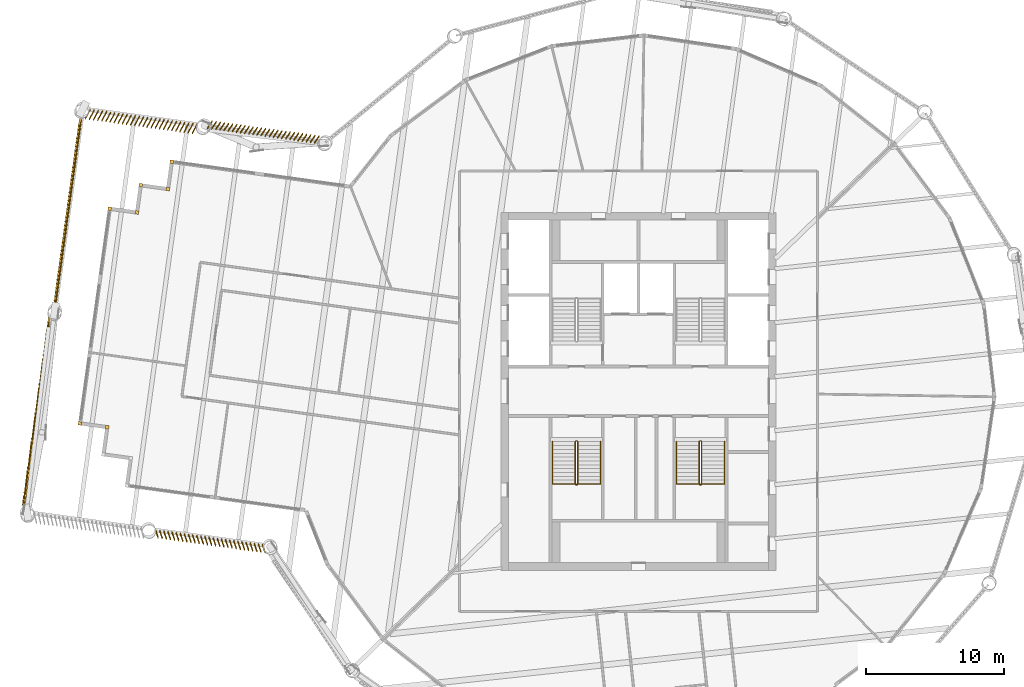
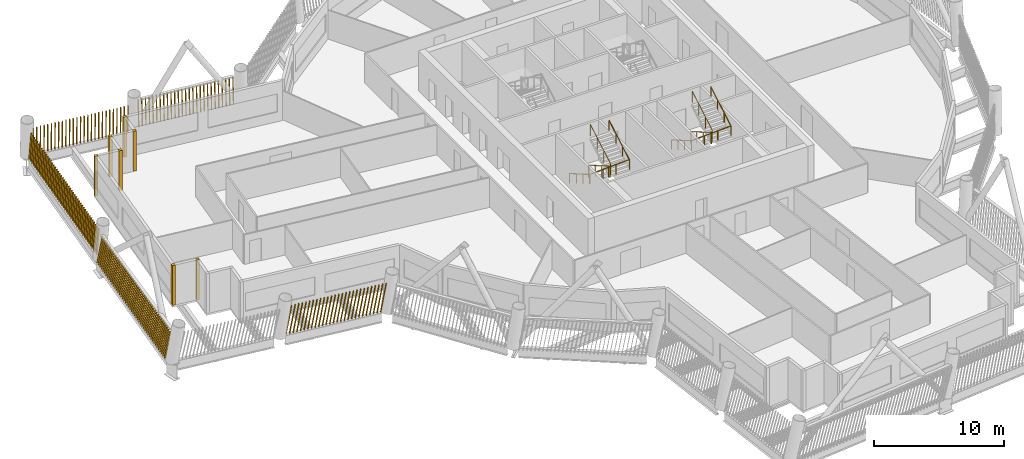
# One storey, part 18 of 21: 12 shading devices, 4 railings.
"""IFC4 building model written with IfcOpenShell, lengths in metres."""

import ifcopenshell
import ifcopenshell.guid

model = None  # the IFC model being written
_history = None  # IfcOwnerHistory: only IFC2X3 demands one
_inside = {}  # id of a spatial element -> (the spatial element, [elements in it])
_under = {}  # id of a project, library or spatial element -> (it, [spatial elements below it])
_declared = {}  # id of a project -> (the project, [libraries it declares])
_typed = {}  # id of a type object -> (the type object, [elements of that type])
_made_of = {}  # id of a material, layer set ... -> (it, [elements and type objects made of it])


def new_model(schema):
    """Start an empty IFC model of exactly this schema.

    Asked for "IFC4X3", IfcOpenShell would pick the latest addendum, in which some entities
    have other attributes; the version numbers below select the first issue.
    IFC2X3 requires an IfcOwnerHistory on every rooted entity: one is made here for all.
    """
    global model, _history
    if schema == "IFC4X3":
        model = ifcopenshell.file(schema_version=(4, 3, 0, 0))
    else:
        model = ifcopenshell.file(schema=schema)
    _inside.clear()
    _under.clear()
    _declared.clear()
    _typed.clear()
    _made_of.clear()
    _history = None
    if model.schema == "IFC2X3":
        org = make("IfcOrganization", Name="unknown")
        user = make(
            "IfcPersonAndOrganization",
            ThePerson=make("IfcPerson", FamilyName="unknown"),
            TheOrganization=org,
        )
        app = make(
            "IfcApplication",
            ApplicationDeveloper=org,
            Version="unknown",
            ApplicationFullName="unknown",
            ApplicationIdentifier="unknown",
        )
        _history = make(
            "IfcOwnerHistory",
            OwningUser=user,
            OwningApplication=app,
            ChangeAction="ADDED",
            CreationDate=0,
        )
    return model


def make(cls, **values):
    """One entity of the class cls with the attributes given. An attribute that is None is left unset."""
    return model.create_entity(
        cls, **{name: value for name, value in values.items() if value is not None}
    )


def rooted(cls, **values):
    """An entity with a GlobalId (a new one), such as an element, a storey or a relation."""
    return make(cls, GlobalId=ifcopenshell.guid.new(), OwnerHistory=_history, **values)


def si_unit(unit_type, name, prefix=None):
    """IfcSIUnit, for example si_unit("LENGTHUNIT", "METRE", prefix="MILLI")."""
    return make("IfcSIUnit", UnitType=unit_type, Prefix=prefix, Name=name)


def assignment(units):
    """IfcUnitAssignment: the units of a project."""
    return None if units is None else make("IfcUnitAssignment", Units=units)


def point(xyz):
    """IfcCartesianPoint."""
    return None if xyz is None else make("IfcCartesianPoint", Coordinates=xyz)


def direction(xyz):
    """IfcDirection."""
    return None if xyz is None else make("IfcDirection", DirectionRatios=xyz)


def frame(location, z_axis=None, x_axis=None):
    """IfcAxis2Placement3D, a coordinate frame: its origin and axes. An axis left out is left unset."""
    return make(
        "IfcAxis2Placement3D",
        Location=point(location),
        Axis=direction(z_axis),
        RefDirection=direction(x_axis),
    )


def frame_2d(location, x_axis=None):
    """IfcAxis2Placement2D, a coordinate frame in the plane: its origin and x axis."""
    return make(
        "IfcAxis2Placement2D", Location=point(location), RefDirection=direction(x_axis)
    )


def origin():
    """The frame at (0, 0, 0) with its axes left unset."""
    return frame((0.0, 0.0, 0.0))


def origin_2d():
    """The frame at (0, 0) in the plane with its x axis left unset."""
    return frame_2d((0.0, 0.0))


def place(relative_to, where):
    """IfcLocalPlacement: puts the frame where relative to a parent placement (None: the world)."""
    return make(
        "IfcLocalPlacement", PlacementRelTo=relative_to, RelativePlacement=where
    )


def context(
    kind, dimensions, precision=None, world=None, true_north=None, identifier=None
):
    """IfcGeometricRepresentationContext, for example the 3D "Model" context."""
    return make(
        "IfcGeometricRepresentationContext",
        ContextIdentifier=identifier,
        ContextType=kind,
        CoordinateSpaceDimension=dimensions,
        Precision=precision,
        WorldCoordinateSystem=world,
        TrueNorth=true_north,
    )


def subcontext(parent, identifier, kind, view, scale=None):
    """IfcGeometricRepresentationSubContext, for example "Body" below "Model"."""
    return make(
        "IfcGeometricRepresentationSubContext",
        ContextIdentifier=identifier,
        ContextType=kind,
        ParentContext=parent,
        TargetScale=scale,
        TargetView=view,
    )


def project(units=None, contexts=None):
    """IfcProject with its units and contexts."""
    return rooted(
        "IfcProject",
        Name="project",
        RepresentationContexts=contexts,
        UnitsInContext=assignment(units),
    )


def spatial(cls, under=None, at=None, **own):
    """A site, building, storey or space (cls), placed at a placement, below another one or the project."""
    s = rooted(cls, ObjectPlacement=at, **own)
    if under is not None:
        _under.setdefault(under.id(), (under, []))[1].append(s)
    return s


def profile(cls, at=None, kind="AREA", **sizes):
    """A parametric profile (cls). Its sizes go by their IFC names, for example OverallWidth=200.0."""
    return make(cls, ProfileType=kind, Position=at, **sizes)


def rectangle(**sizes):
    """IfcRectangleProfileDef."""
    return profile("IfcRectangleProfileDef", **sizes)


def circle(**sizes):
    """IfcCircleProfileDef."""
    return profile("IfcCircleProfileDef", **sizes)


def composite_profile(profiles, kind="AREA"):
    """IfcCompositeProfileDef: several profiles as one."""
    return make("IfcCompositeProfileDef", ProfileType=kind, Profiles=profiles)


def extrude(swept, where, along, depth):
    """IfcExtrudedAreaSolid: the profile swept, set in the frame where, extruded along a direction by depth."""
    return make(
        "IfcExtrudedAreaSolid",
        SweptArea=swept,
        Position=where,
        ExtrudedDirection=direction(along),
        Depth=depth,
    )


def shape(context_of_items, identifier, shape_type, items):
    """IfcShapeRepresentation: the items that make up one representation, for example the "Body"."""
    return make(
        "IfcShapeRepresentation",
        ContextOfItems=context_of_items,
        RepresentationIdentifier=identifier,
        RepresentationType=shape_type,
        Items=items,
    )


def material(Name=None, Category=None):
    """IfcMaterial."""
    return make("IfcMaterial", Name=Name, Category=Category)


def made_of(thing, what):
    """Note that an element or type object is made of a material, layer set ...; save() writes the relation."""
    if what is not None:
        _made_of.setdefault(what.id(), (what, []))[1].append(thing)
    return thing


def type_object(cls, material=None, **own):
    """A type object (cls), such as IfcWallType, which elements share."""
    return made_of(rooted(cls, **own), material)


def element(
    cls,
    number,
    at=None,
    inside=None,
    cuts=None,
    type_object=None,
    material=None,
    context=None,
    identifier="Body",
    shape_type=None,
    held_by="IfcProductDefinitionShape",
    body=None,
    shapes=None,
    **own,
):
    """One element of the class cls, such as IfcWall. Its Tag is "e" and its number.

    at: its placement. inside: the storey or other place that contains it. cuts: it is an
    opening in that element (IfcRelVoidsElement). A single representation is given by context,
    identifier, shape_type and body (its items); several are given by shapes. held_by: the class
    of the entity that holds the representations. save() writes the other relations.
    """
    e = rooted(cls, Tag="e%d" % number, ObjectPlacement=at, **own)
    if body is not None:
        shapes = [shape(context, identifier, shape_type, body)]
    if shapes is not None:
        e.Representation = make(held_by, Representations=shapes)
    if inside is not None:
        _inside.setdefault(inside.id(), (inside, []))[1].append(e)
    if cuts is not None:
        rooted(
            "IfcRelVoidsElement", RelatingBuildingElement=cuts, RelatedOpeningElement=e
        )
    if type_object is not None:
        _typed.setdefault(type_object.id(), (type_object, []))[1].append(e)
    return made_of(e, material)


def aggregate(whole, parts):
    """IfcRelAggregates: a whole, such as a stair, and the parts it consists of."""
    return rooted("IfcRelAggregates", RelatingObject=whole, RelatedObjects=parts)


def save(model, path):
    """Write the relations noted so far, then the file.

    IfcRelAggregates (storeys below a building ...), IfcRelContainedInSpatialStructure (elements
    in a storey), IfcRelDefinesByType, IfcRelAssociatesMaterial and IfcRelDeclares: one each for
    every whole, place, type object, material and project.
    """
    for whole, parts in _under.values():
        aggregate(whole, parts)
    for where, things in _inside.values():
        rooted(
            "IfcRelContainedInSpatialStructure",
            RelatedElements=things,
            RelatingStructure=where,
        )
    for kind, things in _typed.values():
        rooted("IfcRelDefinesByType", RelatedObjects=things, RelatingType=kind)
    for what, things in _made_of.values():
        rooted("IfcRelAssociatesMaterial", RelatedObjects=things, RelatingMaterial=what)
    for by, libraries in _declared.values():
        rooted("IfcRelDeclares", RelatingContext=by, RelatedDefinitions=libraries)
    model.write(path)


model = new_model("IFC4")

# Units and contexts
model_context = context("Model", 3, precision=1e-05, world=origin(), true_north=direction((0.0, 1.0)))
body_context = subcontext(model_context, "Body", "Model", "MODEL_VIEW")
ifc_project = project(units=[si_unit("LENGTHUNIT", "METRE"), si_unit("AREAUNIT", "SQUARE_METRE"), si_unit("VOLUMEUNIT", "CUBIC_METRE"), si_unit("PLANEANGLEUNIT", "RADIAN"), si_unit("MASSUNIT", "GRAM", prefix="KILO")], contexts=[model_context])

# Site, building, storey
site_placement = place(None, origin())
site = spatial("IfcSite", under=ifc_project, at=site_placement, CompositionType="ELEMENT")
building_placement = place(site_placement, origin())
building = spatial("IfcBuilding", under=site, at=building_placement, Name="Tarsis Ring Headquarters", CompositionType="ELEMENT")
storey_placement = place(building_placement, frame((0.0, 0.0, 255.199951171875)))
storey = spatial("IfcBuildingStorey", under=building, at=storey_placement, Name="L59", CompositionType="ELEMENT", Elevation=255.199951171875)

# Railings
ifc_material_1 = material(Name="Steel S355", Category="steel")
railing_type_1 = type_object("IfcRailingType", Name="Core stair guard 1100", PredefinedType="GUARDRAIL", material=ifc_material_1)
railing_1_placement = place(storey_placement, frame((-4.4599609375, -3.610107421875, 0.0)))
element("IfcRailing", 1, at=railing_1_placement, inside=storey, type_object=railing_type_1, Name="L59 ST3 stair guard 1", PredefinedType="GUARDRAIL", context=body_context, shape_type="SweptSolid", body=[
    extrude(circle(Radius=0.02392578125, at=origin_2d()), frame((0.0, 0.0, 1.076171875), z_axis=(-1.0, 0.0, 0.0), x_axis=(0.0, -1.0, 0.0)), (0.0, 0.0, 1.0), 0.080078125),
    extrude(circle(Radius=0.02392578125, at=origin_2d()), frame((-0.080078125, 0.0, 1.076171875), z_axis=(-0.282336740067, -0.280959487676, 0.917250092119), x_axis=(0.705375805398, -0.708833529934, 0.0)), (0.0, 0.0, 1.0), 0.17724609375),
    extrude(circle(Radius=0.02392578125, at=origin_2d()), frame((-0.130126953125, -0.0498046875, 1.23876953125), z_axis=(0.0, -0.864920483161, 0.501908913857), x_axis=(1.0, 0.0, 0.0)), (0.0, 0.0, 1.0), 3.56103515625),
    extrude(circle(Radius=0.02392578125, at=origin_2d()), frame((-0.130126953125, -3.1298828125, 3.02587890625), z_axis=(0.707106781187, -0.707106781187, 0.0), x_axis=(0.707106781187, 0.707106781187, 0.0)), (0.0, 0.0, 1.0), 0.07080078125),
    extrude(circle(Radius=0.02392578125, at=origin_2d()), frame((-0.080078125, -3.179931640625, 3.02587890625), z_axis=(1.0, 0.0, 0.0), x_axis=(0.0, 1.0, 0.0)), (0.0, 0.0, 1.0), 0.080078125),
    extrude(circle(Radius=0.02392578125, at=origin_2d()), frame((0.0, -3.179931640625, 3.02587890625), z_axis=(0.282227285176, 0.282227285176, 0.916894497205), x_axis=(-0.707106781187, 0.707106781187, 0.0)), (0.0, 0.0, 1.0), 0.17724609375),
    extrude(circle(Radius=0.02392578125, at=origin_2d()), frame((0.050048828125, -3.1298828125, 3.1884765625), z_axis=(0.0, 0.864890721111, 0.501960198159), x_axis=(-1.0, 0.0, 0.0)), (0.0, 0.0, 1.0), 3.561279296875),
    extrude(circle(Radius=0.02099609375, at=origin_2d()), origin(), (0.0, 0.0, 1.0), 1.052001953125),
    extrude(circle(Radius=0.02099609375, at=origin_2d()), frame((-0.080078125, 0.0, 0.0)), (0.0, 0.0, 1.0), 1.052001953125),
    extrude(circle(Radius=0.02099609375, at=origin_2d()), frame((-0.130126953125, -0.0498046875, 0.16259765625)), (0.0, 0.0, 1.0), 1.052001953125),
    extrude(circle(Radius=0.02099609375, at=origin_2d()), frame((-0.130126953125, -1.076416015625, 0.75830078125)), (0.0, 0.0, 1.0), 1.052001953125),
    extrude(circle(Radius=0.02099609375, at=origin_2d()), frame((-0.130126953125, -2.103271484375, 1.354248046875)), (0.0, 0.0, 1.0), 1.052001953125),
    extrude(circle(Radius=0.02099609375, at=origin_2d()), frame((-0.130126953125, -3.1298828125, 1.949951171875)), (0.0, 0.0, 1.0), 1.052001953125),
    extrude(circle(Radius=0.02099609375, at=origin_2d()), frame((-0.080078125, -3.179931640625, 1.949951171875)), (0.0, 0.0, 1.0), 1.052001953125),
    extrude(circle(Radius=0.02099609375, at=origin_2d()), frame((0.0, -3.179931640625, 1.949951171875)), (0.0, 0.0, 1.0), 1.052001953125),
    extrude(circle(Radius=0.02099609375, at=origin_2d()), frame((0.050048828125, -3.1298828125, 2.112548828125)), (0.0, 0.0, 1.0), 1.052001953125),
    extrude(circle(Radius=0.02099609375, at=origin_2d()), frame((0.050048828125, -2.103271484375, 2.70849609375)), (0.0, 0.0, 1.0), 1.052001953125),
    extrude(circle(Radius=0.02099609375, at=origin_2d()), frame((0.050048828125, -1.076416015625, 3.30419921875)), (0.0, 0.0, 1.0), 1.052001953125),
    extrude(circle(Radius=0.02099609375, at=origin_2d()), frame((0.050048828125, -0.0498046875, 3.900146484375)), (0.0, 0.0, 1.0), 1.052001953125),
])
railing_2_placement = place(storey_placement, frame((4.5400390625, -3.610107421875, 0.0)))
element("IfcRailing", 2, at=railing_2_placement, inside=storey, type_object=railing_type_1, Name="L59 ST4 stair guard 1", PredefinedType="GUARDRAIL", context=body_context, shape_type="SweptSolid", body=[
    extrude(circle(Radius=0.02392578125, at=origin_2d()), frame((0.0, 0.0, 1.076171875), z_axis=(-1.0, 0.0, 0.0), x_axis=(0.0, -1.0, 0.0)), (0.0, 0.0, 1.0), 0.080078125),
    extrude(circle(Radius=0.02392578125, at=origin_2d()), frame((-0.080078125, 0.0, 1.076171875), z_axis=(-0.282336740067, -0.280959487676, 0.917250092119), x_axis=(0.705375805398, -0.708833529934, 0.0)), (0.0, 0.0, 1.0), 0.17724609375),
    extrude(circle(Radius=0.02392578125, at=origin_2d()), frame((-0.130126953125, -0.0498046875, 1.23876953125), z_axis=(0.0, -0.864920483161, 0.501908913857), x_axis=(1.0, 0.0, 0.0)), (0.0, 0.0, 1.0), 3.56103515625),
    extrude(circle(Radius=0.02392578125, at=origin_2d()), frame((-0.130126953125, -3.1298828125, 3.02587890625), z_axis=(0.707106781187, -0.707106781187, 0.0), x_axis=(0.707106781187, 0.707106781187, 0.0)), (0.0, 0.0, 1.0), 0.07080078125),
    extrude(circle(Radius=0.02392578125, at=origin_2d()), frame((-0.080078125, -3.179931640625, 3.02587890625), z_axis=(1.0, 0.0, 0.0), x_axis=(0.0, 1.0, 0.0)), (0.0, 0.0, 1.0), 0.080078125),
    extrude(circle(Radius=0.02392578125, at=origin_2d()), frame((0.0, -3.179931640625, 3.02587890625), z_axis=(0.282227285176, 0.282227285176, 0.916894497205), x_axis=(-0.707106781187, 0.707106781187, 0.0)), (0.0, 0.0, 1.0), 0.17724609375),
    extrude(circle(Radius=0.02392578125, at=origin_2d()), frame((0.050048828125, -3.1298828125, 3.1884765625), z_axis=(0.0, 0.864890721111, 0.501960198159), x_axis=(-1.0, 0.0, 0.0)), (0.0, 0.0, 1.0), 3.561279296875),
    extrude(circle(Radius=0.02099609375, at=origin_2d()), origin(), (0.0, 0.0, 1.0), 1.052001953125),
    extrude(circle(Radius=0.02099609375, at=origin_2d()), frame((-0.080078125, 0.0, 0.0)), (0.0, 0.0, 1.0), 1.052001953125),
    extrude(circle(Radius=0.02099609375, at=origin_2d()), frame((-0.130126953125, -0.0498046875, 0.16259765625)), (0.0, 0.0, 1.0), 1.052001953125),
    extrude(circle(Radius=0.02099609375, at=origin_2d()), frame((-0.130126953125, -1.076416015625, 0.75830078125)), (0.0, 0.0, 1.0), 1.052001953125),
    extrude(circle(Radius=0.02099609375, at=origin_2d()), frame((-0.130126953125, -2.103271484375, 1.354248046875)), (0.0, 0.0, 1.0), 1.052001953125),
    extrude(circle(Radius=0.02099609375, at=origin_2d()), frame((-0.130126953125, -3.1298828125, 1.949951171875)), (0.0, 0.0, 1.0), 1.052001953125),
    extrude(circle(Radius=0.02099609375, at=origin_2d()), frame((-0.080078125, -3.179931640625, 1.949951171875)), (0.0, 0.0, 1.0), 1.052001953125),
    extrude(circle(Radius=0.02099609375, at=origin_2d()), frame((0.0, -3.179931640625, 1.949951171875)), (0.0, 0.0, 1.0), 1.052001953125),
    extrude(circle(Radius=0.02099609375, at=origin_2d()), frame((0.050048828125, -3.1298828125, 2.112548828125)), (0.0, 0.0, 1.0), 1.052001953125),
    extrude(circle(Radius=0.02099609375, at=origin_2d()), frame((0.050048828125, -2.103271484375, 2.70849609375)), (0.0, 0.0, 1.0), 1.052001953125),
    extrude(circle(Radius=0.02099609375, at=origin_2d()), frame((0.050048828125, -1.076416015625, 3.30419921875)), (0.0, 0.0, 1.0), 1.052001953125),
    extrude(circle(Radius=0.02099609375, at=origin_2d()), frame((0.050048828125, -0.0498046875, 3.900146484375)), (0.0, 0.0, 1.0), 1.052001953125),
])
railing_type_2 = type_object("IfcRailingType", Name="Core stair handrail 900", PredefinedType="HANDRAIL", material=ifc_material_1)
railing_3_placement = place(storey_placement, frame((-6.25, -3.659912109375, 0.16259765625)))
element("IfcRailing", 3, at=railing_3_placement, inside=storey, type_object=railing_type_2, Name="L59 ST3 stair handrail 1", PredefinedType="HANDRAIL", context=body_context, shape_type="SweptSolid", body=[
    extrude(circle(Radius=0.02392578125, at=origin_2d()), frame((0.0, 0.0, 0.8759765625), z_axis=(0.0, -0.864920483161, 0.501908913857), x_axis=(1.0, 0.0, 0.0)), (0.0, 0.0, 1.0), 3.56103515625),
    extrude(circle(Radius=0.02392578125, at=origin_2d()), frame((0.0, -3.080078125, 2.6630859375), z_axis=(0.998922641604, 0.0, 0.046406422943), x_axis=(0.0, 1.0, 0.0)), (0.0, 0.0, 1.0), 3.503662109375),
    extrude(circle(Radius=0.02392578125, at=origin_2d()), frame((3.5, -3.080078125, 2.82568359375), z_axis=(0.0, 0.864890721111, 0.501960198159), x_axis=(-1.0, 0.0, 0.0)), (0.0, 0.0, 1.0), 3.561279296875),
    extrude(circle(Radius=0.02099609375, at=origin_2d()), origin(), (0.0, 0.0, 1.0), 0.851806640625),
    extrude(circle(Radius=0.02099609375, at=origin_2d()), frame((0.0, -1.026611328125, 0.595703125)), (0.0, 0.0, 1.0), 0.851806640625),
    extrude(circle(Radius=0.02099609375, at=origin_2d()), frame((0.0, -2.053466796875, 1.191650390625)), (0.0, 0.0, 1.0), 0.851806640625),
    extrude(circle(Radius=0.02099609375, at=origin_2d()), frame((0.0, -3.080078125, 1.787353515625)), (0.0, 0.0, 1.0), 0.851806640625),
    extrude(circle(Radius=0.02099609375, at=origin_2d()), frame((1.166748046875, -3.080078125, 1.841552734375)), (0.0, 0.0, 1.0), 0.851806640625),
    extrude(circle(Radius=0.02099609375, at=origin_2d()), frame((2.333251953125, -3.080078125, 1.895751953125)), (0.0, 0.0, 1.0), 0.851806640625),
    extrude(circle(Radius=0.02099609375, at=origin_2d()), frame((3.5, -3.080078125, 1.949951171875)), (0.0, 0.0, 1.0), 0.851806640625),
    extrude(circle(Radius=0.02099609375, at=origin_2d()), frame((3.5, -2.053466796875, 2.5458984375)), (0.0, 0.0, 1.0), 0.851806640625),
    extrude(circle(Radius=0.02099609375, at=origin_2d()), frame((3.5, -1.026611328125, 3.1416015625)), (0.0, 0.0, 1.0), 0.851806640625),
    extrude(circle(Radius=0.02099609375, at=origin_2d()), frame((3.5, 0.0, 3.737548828125)), (0.0, 0.0, 1.0), 0.851806640625),
])
railing_4_placement = place(storey_placement, frame((2.75, -3.659912109375, 0.16259765625)))
element("IfcRailing", 4, at=railing_4_placement, inside=storey, type_object=railing_type_2, Name="L59 ST4 stair handrail 1", PredefinedType="HANDRAIL", context=body_context, shape_type="SweptSolid", body=[
    extrude(circle(Radius=0.02392578125, at=origin_2d()), frame((0.0, 0.0, 0.8759765625), z_axis=(0.0, -0.864920483161, 0.501908913857), x_axis=(1.0, 0.0, 0.0)), (0.0, 0.0, 1.0), 3.56103515625),
    extrude(circle(Radius=0.02392578125, at=origin_2d()), frame((0.0, -3.080078125, 2.6630859375), z_axis=(0.998922641604, 0.0, 0.046406422943), x_axis=(0.0, 1.0, 0.0)), (0.0, 0.0, 1.0), 3.503662109375),
    extrude(circle(Radius=0.02392578125, at=origin_2d()), frame((3.5, -3.080078125, 2.82568359375), z_axis=(0.0, 0.864890721111, 0.501960198159), x_axis=(-1.0, 0.0, 0.0)), (0.0, 0.0, 1.0), 3.561279296875),
    extrude(circle(Radius=0.02099609375, at=origin_2d()), origin(), (0.0, 0.0, 1.0), 0.851806640625),
    extrude(circle(Radius=0.02099609375, at=origin_2d()), frame((0.0, -1.026611328125, 0.595703125)), (0.0, 0.0, 1.0), 0.851806640625),
    extrude(circle(Radius=0.02099609375, at=origin_2d()), frame((0.0, -2.053466796875, 1.191650390625)), (0.0, 0.0, 1.0), 0.851806640625),
    extrude(circle(Radius=0.02099609375, at=origin_2d()), frame((0.0, -3.080078125, 1.787353515625)), (0.0, 0.0, 1.0), 0.851806640625),
    extrude(circle(Radius=0.02099609375, at=origin_2d()), frame((1.166748046875, -3.080078125, 1.841552734375)), (0.0, 0.0, 1.0), 0.851806640625),
    extrude(circle(Radius=0.02099609375, at=origin_2d()), frame((2.333251953125, -3.080078125, 1.895751953125)), (0.0, 0.0, 1.0), 0.851806640625),
    extrude(circle(Radius=0.02099609375, at=origin_2d()), frame((3.5, -3.080078125, 1.949951171875)), (0.0, 0.0, 1.0), 0.851806640625),
    extrude(circle(Radius=0.02099609375, at=origin_2d()), frame((3.5, -2.053466796875, 2.5458984375)), (0.0, 0.0, 1.0), 0.851806640625),
    extrude(circle(Radius=0.02099609375, at=origin_2d()), frame((3.5, -1.026611328125, 3.1416015625)), (0.0, 0.0, 1.0), 0.851806640625),
    extrude(circle(Radius=0.02099609375, at=origin_2d()), frame((3.5, 0.0, 3.737548828125)), (0.0, 0.0, 1.0), 0.851806640625),
])

# Shading devices
ifc_material_2 = material(Name="Terracotta baguette", Category="masonry")
shading_device_type_1 = type_object("IfcShadingDeviceType", Name="Terracotta baguette screen", PredefinedType="USERDEFINED", material=ifc_material_2)
shading_device_1_placement = place(storey_placement, frame((-23.17431640625, 18.527099609375, 0.0), z_axis=(0.0, 0.0, 1.0), x_axis=(-0.990546218487, 0.137110726644, 0.0)))
element("IfcShadingDevice", 5, at=shading_device_1_placement, inside=storey, type_object=shading_device_type_1, Name="Baguette screen L59-15", ObjectType="Terracotta baguette screen", PredefinedType="USERDEFINED", context=body_context, shape_type="SweptSolid", body=[
    extrude(composite_profile([rectangle(XDim=0.06005859375, YDim=0.1201171875, at=frame_2d((0.030029296875, 0.0))), rectangle(XDim=0.06005859375, YDim=0.1201171875, at=frame_2d((0.33154296875, 0.0))), rectangle(XDim=0.06005859375, YDim=0.1201171875, at=frame_2d((0.63330078125, 0.0))), rectangle(XDim=0.06005859375, YDim=0.1201171875, at=frame_2d((0.934814453125, 0.0))), rectangle(XDim=0.06005859375, YDim=0.1201171875, at=frame_2d((1.236572265625, 0.0))), rectangle(XDim=0.06005859375, YDim=0.1201171875, at=frame_2d((1.5380859375, 0.0))), rectangle(XDim=0.06005859375, YDim=0.1201171875, at=frame_2d((1.83984375, 0.0))), rectangle(XDim=0.06005859375, YDim=0.1201171875, at=frame_2d((2.141357421875, 0.0))), rectangle(XDim=0.06005859375, YDim=0.1201171875, at=frame_2d((2.443115234375, 0.0))), rectangle(XDim=0.06005859375, YDim=0.1201171875, at=frame_2d((2.74462890625, 0.0))), rectangle(XDim=0.06005859375, YDim=0.1201171875, at=frame_2d((3.04638671875, 0.0))), rectangle(XDim=0.06005859375, YDim=0.1201171875, at=frame_2d((3.347900390625, 0.0))), rectangle(XDim=0.06005859375, YDim=0.1201171875, at=frame_2d((3.649658203125, 0.0))), rectangle(XDim=0.06005859375, YDim=0.1201171875, at=frame_2d((3.951171875, 0.0))), rectangle(XDim=0.06005859375, YDim=0.1201171875, at=frame_2d((4.252685546875, 0.0))), rectangle(XDim=0.06005859375, YDim=0.1201171875, at=frame_2d((4.554443359375, 0.0))), rectangle(XDim=0.06005859375, YDim=0.1201171875, at=frame_2d((4.85595703125, 0.0))), rectangle(XDim=0.06005859375, YDim=0.1201171875, at=frame_2d((5.15771484375, 0.0))), rectangle(XDim=0.06005859375, YDim=0.1201171875, at=frame_2d((5.459228515625, 0.0))), rectangle(XDim=0.06005859375, YDim=0.1201171875, at=frame_2d((5.760986328125, 0.0))), rectangle(XDim=0.06005859375, YDim=0.1201171875, at=frame_2d((6.0625, 0.0))), rectangle(XDim=0.06005859375, YDim=0.1201171875, at=frame_2d((6.3642578125, 0.0))), rectangle(XDim=0.06005859375, YDim=0.1201171875, at=frame_2d((6.665771484375, 0.0))), rectangle(XDim=0.06005859375, YDim=0.1201171875, at=frame_2d((6.967529296875, 0.0))), rectangle(XDim=0.06005859375, YDim=0.1201171875, at=frame_2d((7.26904296875, 0.0))), rectangle(XDim=0.06005859375, YDim=0.1201171875, at=frame_2d((7.57080078125, 0.0))), rectangle(XDim=0.06005859375, YDim=0.1201171875, at=frame_2d((7.872314453125, 0.0)))]), origin(), (0.086105677885, 0.170733723959, 0.981547659433), 3.023681640625),
])
shading_device_2_placement = place(storey_placement, frame((-32.0439453125, 19.376220703125, 0.0), z_axis=(0.0, 0.0, 1.0), x_axis=(-0.990546218487, 0.137079831933, 0.0)))
element("IfcShadingDevice", 6, at=shading_device_2_placement, inside=storey, type_object=shading_device_type_1, Name="Baguette screen L59-16", ObjectType="Terracotta baguette screen", PredefinedType="USERDEFINED", context=body_context, shape_type="SweptSolid", body=[
    extrude(composite_profile([rectangle(XDim=0.06005859375, YDim=0.1201171875, at=frame_2d((0.030029296875, 0.0))), rectangle(XDim=0.06005859375, YDim=0.1201171875, at=frame_2d((0.33154296875, 0.0))), rectangle(XDim=0.06005859375, YDim=0.1201171875, at=frame_2d((0.63330078125, 0.0))), rectangle(XDim=0.06005859375, YDim=0.1201171875, at=frame_2d((0.934814453125, 0.0))), rectangle(XDim=0.06005859375, YDim=0.1201171875, at=frame_2d((1.236572265625, 0.0))), rectangle(XDim=0.06005859375, YDim=0.1201171875, at=frame_2d((1.5380859375, 0.0))), rectangle(XDim=0.06005859375, YDim=0.1201171875, at=frame_2d((1.83984375, 0.0))), rectangle(XDim=0.06005859375, YDim=0.1201171875, at=frame_2d((2.141357421875, 0.0))), rectangle(XDim=0.06005859375, YDim=0.1201171875, at=frame_2d((2.443115234375, 0.0))), rectangle(XDim=0.06005859375, YDim=0.1201171875, at=frame_2d((2.74462890625, 0.0))), rectangle(XDim=0.06005859375, YDim=0.1201171875, at=frame_2d((3.04638671875, 0.0))), rectangle(XDim=0.06005859375, YDim=0.1201171875, at=frame_2d((3.347900390625, 0.0))), rectangle(XDim=0.06005859375, YDim=0.1201171875, at=frame_2d((3.649658203125, 0.0))), rectangle(XDim=0.06005859375, YDim=0.1201171875, at=frame_2d((3.951171875, 0.0))), rectangle(XDim=0.06005859375, YDim=0.1201171875, at=frame_2d((4.252685546875, 0.0))), rectangle(XDim=0.06005859375, YDim=0.1201171875, at=frame_2d((4.554443359375, 0.0))), rectangle(XDim=0.06005859375, YDim=0.1201171875, at=frame_2d((4.85595703125, 0.0))), rectangle(XDim=0.06005859375, YDim=0.1201171875, at=frame_2d((5.15771484375, 0.0))), rectangle(XDim=0.06005859375, YDim=0.1201171875, at=frame_2d((5.459228515625, 0.0))), rectangle(XDim=0.06005859375, YDim=0.1201171875, at=frame_2d((5.760986328125, 0.0))), rectangle(XDim=0.06005859375, YDim=0.1201171875, at=frame_2d((6.0625, 0.0))), rectangle(XDim=0.06005859375, YDim=0.1201171875, at=frame_2d((6.3642578125, 0.0))), rectangle(XDim=0.06005859375, YDim=0.1201171875, at=frame_2d((6.665771484375, 0.0))), rectangle(XDim=0.06005859375, YDim=0.1201171875, at=frame_2d((6.967529296875, 0.0))), rectangle(XDim=0.06005859375, YDim=0.1201171875, at=frame_2d((7.26904296875, 0.0))), rectangle(XDim=0.06005859375, YDim=0.1201171875, at=frame_2d((7.57080078125, 0.0))), rectangle(XDim=0.06005859375, YDim=0.1201171875, at=frame_2d((7.872314453125, 0.0)))]), origin(), (0.082686368093, 0.219936115182, 0.972003636706), 3.05322265625),
])
shading_device_3_placement = place(storey_placement, frame((-40.435302734375, 20.03271484375, 0.0), z_axis=(0.0, 0.0, 1.0), x_axis=(-0.137107474569, -0.99055285272, 0.0)))
element("IfcShadingDevice", 7, at=shading_device_3_placement, inside=storey, type_object=shading_device_type_1, Name="Baguette screen L59-17", ObjectType="Terracotta baguette screen", PredefinedType="USERDEFINED", context=body_context, shape_type="SweptSolid", body=[
    extrude(composite_profile([rectangle(XDim=0.06005859375, YDim=0.1201171875, at=frame_2d((0.030029296875, 0.0))), rectangle(XDim=0.06005859375, YDim=0.1201171875, at=frame_2d((0.33544921875, 0.0))), rectangle(XDim=0.06005859375, YDim=0.1201171875, at=frame_2d((0.640625, 0.0))), rectangle(XDim=0.06005859375, YDim=0.1201171875, at=frame_2d((0.946044921875, 0.0))), rectangle(XDim=0.06005859375, YDim=0.1201171875, at=frame_2d((1.25146484375, 0.0))), rectangle(XDim=0.06005859375, YDim=0.1201171875, at=frame_2d((1.556640625, 0.0))), rectangle(XDim=0.06005859375, YDim=0.1201171875, at=frame_2d((1.862060546875, 0.0))), rectangle(XDim=0.06005859375, YDim=0.1201171875, at=frame_2d((2.16748046875, 0.0))), rectangle(XDim=0.06005859375, YDim=0.1201171875, at=frame_2d((2.47265625, 0.0))), rectangle(XDim=0.06005859375, YDim=0.1201171875, at=frame_2d((2.778076171875, 0.0))), rectangle(XDim=0.06005859375, YDim=0.1201171875, at=frame_2d((3.08349609375, 0.0))), rectangle(XDim=0.06005859375, YDim=0.1201171875, at=frame_2d((3.388671875, 0.0))), rectangle(XDim=0.06005859375, YDim=0.1201171875, at=frame_2d((3.694091796875, 0.0))), rectangle(XDim=0.06005859375, YDim=0.1201171875, at=frame_2d((3.99951171875, 0.0))), rectangle(XDim=0.06005859375, YDim=0.1201171875, at=frame_2d((4.3046875, 0.0))), rectangle(XDim=0.06005859375, YDim=0.1201171875, at=frame_2d((4.610107421875, 0.0))), rectangle(XDim=0.06005859375, YDim=0.1201171875, at=frame_2d((4.91552734375, 0.0))), rectangle(XDim=0.06005859375, YDim=0.1201171875, at=frame_2d((5.220703125, 0.0))), rectangle(XDim=0.06005859375, YDim=0.1201171875, at=frame_2d((5.526123046875, 0.0))), rectangle(XDim=0.06005859375, YDim=0.1201171875, at=frame_2d((5.83154296875, 0.0))), rectangle(XDim=0.06005859375, YDim=0.1201171875, at=frame_2d((6.13671875, 0.0))), rectangle(XDim=0.06005859375, YDim=0.1201171875, at=frame_2d((6.442138671875, 0.0))), rectangle(XDim=0.06005859375, YDim=0.1201171875, at=frame_2d((6.74755859375, 0.0))), rectangle(XDim=0.06005859375, YDim=0.1201171875, at=frame_2d((7.052734375, 0.0))), rectangle(XDim=0.06005859375, YDim=0.1201171875, at=frame_2d((7.358154296875, 0.0))), rectangle(XDim=0.06005859375, YDim=0.1201171875, at=frame_2d((7.66357421875, 0.0))), rectangle(XDim=0.06005859375, YDim=0.1201171875, at=frame_2d((7.96875, 0.0))), rectangle(XDim=0.06005859375, YDim=0.1201171875, at=frame_2d((8.274169921875, 0.0))), rectangle(XDim=0.06005859375, YDim=0.1201171875, at=frame_2d((8.57958984375, 0.0))), rectangle(XDim=0.06005859375, YDim=0.1201171875, at=frame_2d((8.884765625, 0.0))), rectangle(XDim=0.06005859375, YDim=0.1201171875, at=frame_2d((9.190185546875, 0.0))), rectangle(XDim=0.06005859375, YDim=0.1201171875, at=frame_2d((9.49560546875, 0.0))), rectangle(XDim=0.06005859375, YDim=0.1201171875, at=frame_2d((9.80078125, 0.0))), rectangle(XDim=0.06005859375, YDim=0.1201171875, at=frame_2d((10.106201171875, 0.0))), rectangle(XDim=0.06005859375, YDim=0.1201171875, at=frame_2d((10.41162109375, 0.0))), rectangle(XDim=0.06005859375, YDim=0.1201171875, at=frame_2d((10.716796875, 0.0))), rectangle(XDim=0.06005859375, YDim=0.1201171875, at=frame_2d((11.022216796875, 0.0))), rectangle(XDim=0.06005859375, YDim=0.1201171875, at=frame_2d((11.32763671875, 0.0))), rectangle(XDim=0.06005859375, YDim=0.1201171875, at=frame_2d((11.6328125, 0.0))), rectangle(XDim=0.06005859375, YDim=0.1201171875, at=frame_2d((11.938232421875, 0.0))), rectangle(XDim=0.06005859375, YDim=0.1201171875, at=frame_2d((12.24365234375, 0.0))), rectangle(XDim=0.06005859375, YDim=0.1201171875, at=frame_2d((12.548828125, 0.0))), rectangle(XDim=0.06005859375, YDim=0.1201171875, at=frame_2d((12.854248046875, 0.0))), rectangle(XDim=0.06005859375, YDim=0.1201171875, at=frame_2d((13.15966796875, 0.0))), rectangle(XDim=0.06005859375, YDim=0.1201171875, at=frame_2d((13.46484375, 0.0))), rectangle(XDim=0.06005859375, YDim=0.1201171875, at=frame_2d((13.770263671875, 0.0)))]), origin(), (0.244229046566, -0.040032279217, 0.96889090688), 3.06298828125),
])
shading_device_4_placement = place(storey_placement, frame((-42.8359375, 5.424072265625, 0.0), z_axis=(0.0, 0.0, 1.0), x_axis=(-0.13708735803, -0.990553019849, 0.0)))
element("IfcShadingDevice", 8, at=shading_device_4_placement, inside=storey, type_object=shading_device_type_1, Name="Baguette screen L59-18", ObjectType="Terracotta baguette screen", PredefinedType="USERDEFINED", context=body_context, shape_type="SweptSolid", body=[
    extrude(composite_profile([rectangle(XDim=0.06005859375, YDim=0.1201171875, at=frame_2d((0.030029296875, 0.0))), rectangle(XDim=0.06005859375, YDim=0.1201171875, at=frame_2d((0.33544921875, 0.0))), rectangle(XDim=0.06005859375, YDim=0.1201171875, at=frame_2d((0.640625, 0.0))), rectangle(XDim=0.06005859375, YDim=0.1201171875, at=frame_2d((0.946044921875, 0.0))), rectangle(XDim=0.06005859375, YDim=0.1201171875, at=frame_2d((1.25146484375, 0.0))), rectangle(XDim=0.06005859375, YDim=0.1201171875, at=frame_2d((1.556640625, 0.0))), rectangle(XDim=0.06005859375, YDim=0.1201171875, at=frame_2d((1.862060546875, 0.0))), rectangle(XDim=0.06005859375, YDim=0.1201171875, at=frame_2d((2.16748046875, 0.0))), rectangle(XDim=0.06005859375, YDim=0.1201171875, at=frame_2d((2.47265625, 0.0))), rectangle(XDim=0.06005859375, YDim=0.1201171875, at=frame_2d((2.778076171875, 0.0))), rectangle(XDim=0.06005859375, YDim=0.1201171875, at=frame_2d((3.08349609375, 0.0))), rectangle(XDim=0.06005859375, YDim=0.1201171875, at=frame_2d((3.388671875, 0.0))), rectangle(XDim=0.06005859375, YDim=0.1201171875, at=frame_2d((3.694091796875, 0.0))), rectangle(XDim=0.06005859375, YDim=0.1201171875, at=frame_2d((3.99951171875, 0.0))), rectangle(XDim=0.06005859375, YDim=0.1201171875, at=frame_2d((4.3046875, 0.0))), rectangle(XDim=0.06005859375, YDim=0.1201171875, at=frame_2d((4.610107421875, 0.0))), rectangle(XDim=0.06005859375, YDim=0.1201171875, at=frame_2d((4.91552734375, 0.0))), rectangle(XDim=0.06005859375, YDim=0.1201171875, at=frame_2d((5.220703125, 0.0))), rectangle(XDim=0.06005859375, YDim=0.1201171875, at=frame_2d((5.526123046875, 0.0))), rectangle(XDim=0.06005859375, YDim=0.1201171875, at=frame_2d((5.83154296875, 0.0))), rectangle(XDim=0.06005859375, YDim=0.1201171875, at=frame_2d((6.13671875, 0.0))), rectangle(XDim=0.06005859375, YDim=0.1201171875, at=frame_2d((6.442138671875, 0.0))), rectangle(XDim=0.06005859375, YDim=0.1201171875, at=frame_2d((6.74755859375, 0.0))), rectangle(XDim=0.06005859375, YDim=0.1201171875, at=frame_2d((7.052734375, 0.0))), rectangle(XDim=0.06005859375, YDim=0.1201171875, at=frame_2d((7.358154296875, 0.0))), rectangle(XDim=0.06005859375, YDim=0.1201171875, at=frame_2d((7.66357421875, 0.0))), rectangle(XDim=0.06005859375, YDim=0.1201171875, at=frame_2d((7.96875, 0.0))), rectangle(XDim=0.06005859375, YDim=0.1201171875, at=frame_2d((8.274169921875, 0.0))), rectangle(XDim=0.06005859375, YDim=0.1201171875, at=frame_2d((8.57958984375, 0.0))), rectangle(XDim=0.06005859375, YDim=0.1201171875, at=frame_2d((8.884765625, 0.0))), rectangle(XDim=0.06005859375, YDim=0.1201171875, at=frame_2d((9.190185546875, 0.0))), rectangle(XDim=0.06005859375, YDim=0.1201171875, at=frame_2d((9.49560546875, 0.0))), rectangle(XDim=0.06005859375, YDim=0.1201171875, at=frame_2d((9.80078125, 0.0))), rectangle(XDim=0.06005859375, YDim=0.1201171875, at=frame_2d((10.106201171875, 0.0))), rectangle(XDim=0.06005859375, YDim=0.1201171875, at=frame_2d((10.41162109375, 0.0))), rectangle(XDim=0.06005859375, YDim=0.1201171875, at=frame_2d((10.716796875, 0.0))), rectangle(XDim=0.06005859375, YDim=0.1201171875, at=frame_2d((11.022216796875, 0.0))), rectangle(XDim=0.06005859375, YDim=0.1201171875, at=frame_2d((11.32763671875, 0.0))), rectangle(XDim=0.06005859375, YDim=0.1201171875, at=frame_2d((11.6328125, 0.0))), rectangle(XDim=0.06005859375, YDim=0.1201171875, at=frame_2d((11.938232421875, 0.0))), rectangle(XDim=0.06005859375, YDim=0.1201171875, at=frame_2d((12.24365234375, 0.0))), rectangle(XDim=0.06005859375, YDim=0.1201171875, at=frame_2d((12.548828125, 0.0))), rectangle(XDim=0.06005859375, YDim=0.1201171875, at=frame_2d((12.854248046875, 0.0))), rectangle(XDim=0.06005859375, YDim=0.1201171875, at=frame_2d((13.15966796875, 0.0))), rectangle(XDim=0.06005859375, YDim=0.1201171875, at=frame_2d((13.46484375, 0.0))), rectangle(XDim=0.06005859375, YDim=0.1201171875, at=frame_2d((13.770263671875, 0.0)))]), origin(), (0.245500868099, 0.044283872454, 0.968384356753), 3.064697265625),
])
shading_device_5_placement = place(storey_placement, frame((-35.111572265625, -10.08154296875, 0.0), z_axis=(0.0, 0.0, 1.0), x_axis=(0.990546218487, -0.137079831933, 0.0)))
element("IfcShadingDevice", 9, at=shading_device_5_placement, inside=storey, type_object=shading_device_type_1, Name="Baguette screen L59-20", ObjectType="Terracotta baguette screen", PredefinedType="USERDEFINED", context=body_context, shape_type="SweptSolid", body=[
    extrude(composite_profile([rectangle(XDim=0.06005859375, YDim=0.1201171875, at=frame_2d((0.030029296875, 0.0))), rectangle(XDim=0.06005859375, YDim=0.1201171875, at=frame_2d((0.33154296875, 0.0))), rectangle(XDim=0.06005859375, YDim=0.1201171875, at=frame_2d((0.63330078125, 0.0))), rectangle(XDim=0.06005859375, YDim=0.1201171875, at=frame_2d((0.934814453125, 0.0))), rectangle(XDim=0.06005859375, YDim=0.1201171875, at=frame_2d((1.236572265625, 0.0))), rectangle(XDim=0.06005859375, YDim=0.1201171875, at=frame_2d((1.5380859375, 0.0))), rectangle(XDim=0.06005859375, YDim=0.1201171875, at=frame_2d((1.83984375, 0.0))), rectangle(XDim=0.06005859375, YDim=0.1201171875, at=frame_2d((2.141357421875, 0.0))), rectangle(XDim=0.06005859375, YDim=0.1201171875, at=frame_2d((2.443115234375, 0.0))), rectangle(XDim=0.06005859375, YDim=0.1201171875, at=frame_2d((2.74462890625, 0.0))), rectangle(XDim=0.06005859375, YDim=0.1201171875, at=frame_2d((3.04638671875, 0.0))), rectangle(XDim=0.06005859375, YDim=0.1201171875, at=frame_2d((3.347900390625, 0.0))), rectangle(XDim=0.06005859375, YDim=0.1201171875, at=frame_2d((3.649658203125, 0.0))), rectangle(XDim=0.06005859375, YDim=0.1201171875, at=frame_2d((3.951171875, 0.0))), rectangle(XDim=0.06005859375, YDim=0.1201171875, at=frame_2d((4.252685546875, 0.0))), rectangle(XDim=0.06005859375, YDim=0.1201171875, at=frame_2d((4.554443359375, 0.0))), rectangle(XDim=0.06005859375, YDim=0.1201171875, at=frame_2d((4.85595703125, 0.0))), rectangle(XDim=0.06005859375, YDim=0.1201171875, at=frame_2d((5.15771484375, 0.0))), rectangle(XDim=0.06005859375, YDim=0.1201171875, at=frame_2d((5.459228515625, 0.0))), rectangle(XDim=0.06005859375, YDim=0.1201171875, at=frame_2d((5.760986328125, 0.0))), rectangle(XDim=0.06005859375, YDim=0.1201171875, at=frame_2d((6.0625, 0.0))), rectangle(XDim=0.06005859375, YDim=0.1201171875, at=frame_2d((6.3642578125, 0.0))), rectangle(XDim=0.06005859375, YDim=0.1201171875, at=frame_2d((6.665771484375, 0.0))), rectangle(XDim=0.06005859375, YDim=0.1201171875, at=frame_2d((6.967529296875, 0.0))), rectangle(XDim=0.06005859375, YDim=0.1201171875, at=frame_2d((7.26904296875, 0.0))), rectangle(XDim=0.06005859375, YDim=0.1201171875, at=frame_2d((7.57080078125, 0.0))), rectangle(XDim=0.06005859375, YDim=0.1201171875, at=frame_2d((7.872314453125, 0.0)))]), origin(), (0.086922954029, -0.169255156385, 0.981731680298), 3.02294921875),
])
shading_device_type_2 = type_object("IfcShadingDeviceType", Name="Terracotta corner baguette 250x250", PredefinedType="USERDEFINED", material=ifc_material_2)
for number, where, z_axis, x_axis, name in (
    (10, (-33.908203125, 16.681396484375, 0.0), (0.0, 0.0, 1.0), (-0.990557382482, 0.137098767354, 0.0), "Corner baguette L59-32"),
    (11, (-34.182373046875, 14.7001953125, 0.0), (0.0, 0.0, 1.0), (-0.137098974816, -0.990557353768, 0.0), "Corner baguette L59-33"),
    (12, (-36.16357421875, 14.974365234375, 0.0), (0.0, 0.0, 1.0), (-0.990557420767, 0.137098490738, 0.0), "Corner baguette L59-34"),
    (13, (-36.437744140625, 12.9931640625, 0.0), (0.0, 0.0, 1.0), (-0.137098559892, -0.990557411196, 0.0), "Corner baguette L59-35"),
    (14, (-38.418701171875, 13.267333984375, 0.0), (0.0, 0.0, 1.0), (-0.990557420767, 0.137098490738, 0.0), "Corner baguette L59-36"),
    (15, (-40.578125, -2.333740234375, 0.0), (0.0, 0.0, 1.0), (-0.137098750065, -0.990557384875, 0.0), "Corner baguette L59-37"),
    (16, (-38.596923828125, -2.60791015625, 0.0), (0.0, 0.0, 1.0), (0.990557411196, -0.137098559892, 0.0), "Corner baguette L59-38"),
):
    element("IfcShadingDevice", number, at=place(storey_placement, frame(where, z_axis=z_axis, x_axis=x_axis)), inside=storey, type_object=shading_device_type_2, Name=name, ObjectType="Terracotta corner baguette", PredefinedType="USERDEFINED", context=body_context, shape_type="SweptSolid", body=[
        extrude(rectangle(XDim=0.25, YDim=0.25, at=origin_2d()), origin(), (0.0, 0.0, 1.0), 3.739990234375),
    ])

save(model, "model.ifc")
